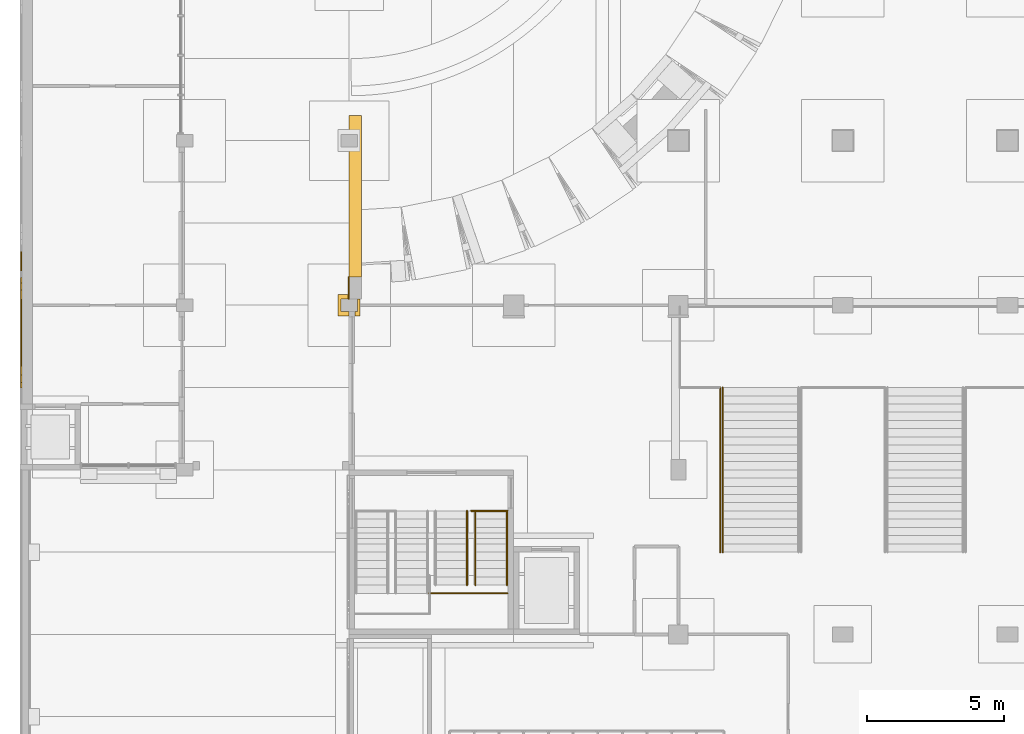
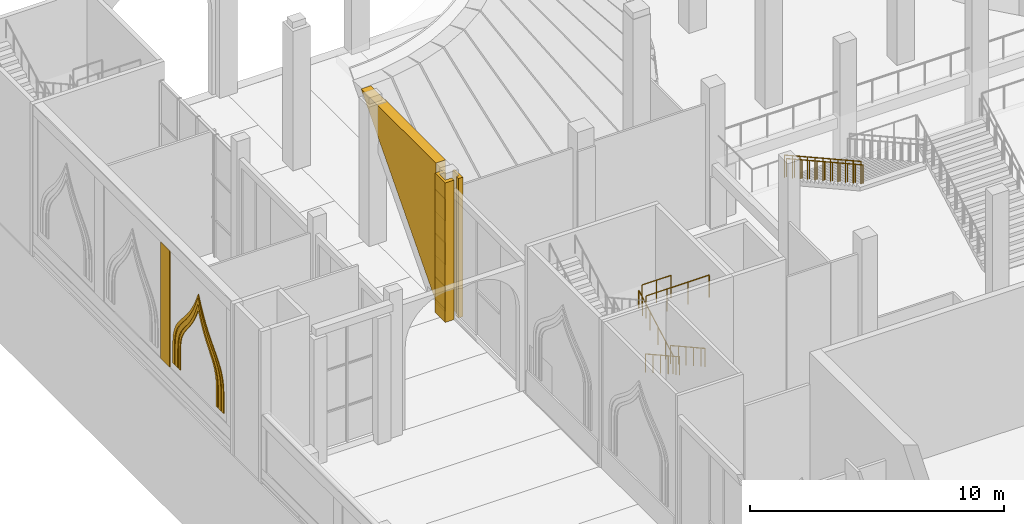
# One storey, part 83 of 95: 11 coverings, 7 railings.
"""IFC4 building model written with IfcOpenShell, lengths in metres."""

from ifc_helpers import new_model, si_unit, direction, frame, origin, origin_2d, place, context, subcontext, project, spatial, polyline, rectangle, circle, outline, extrude, material, layer, layer_set, type_object, element, save


model = new_model("IFC4")

# Units and contexts
model_context = context("Model", 3, precision=1e-05, world=origin(), true_north=direction((0.0, 1.0)))
body_context = subcontext(model_context, "Body", "Model", "MODEL_VIEW")
ifc_project = project(units=[si_unit("LENGTHUNIT", "METRE"), si_unit("AREAUNIT", "SQUARE_METRE"), si_unit("VOLUMEUNIT", "CUBIC_METRE"), si_unit("PLANEANGLEUNIT", "RADIAN"), si_unit("MASSUNIT", "GRAM", prefix="KILO")], contexts=[model_context])

# Site, building, storey
site_placement = place(None, origin())
site = spatial("IfcSite", under=ifc_project, at=site_placement, CompositionType="ELEMENT")
building_placement = place(site_placement, origin())
building = spatial("IfcBuilding", under=site, at=building_placement, Name="Saffron Lane Theatres", CompositionType="ELEMENT")
storey_placement = place(building_placement, origin())
storey = spatial("IfcBuildingStorey", under=building, at=storey_placement, Name="L00", CompositionType="ELEMENT", Elevation=0.0)

# Coverings
ifc_material_1 = material(Name="Masonry pale clay brick", Category="masonry")
ifc_layer_1 = layer(ifc_material_1, 0.449951171875)
ifc_layer_set_1 = layer_set([ifc_layer_1], Name="Masonry pale clay brick")
covering_type_1 = type_object("IfcCoveringType", Name="EX-END INFILL CLADDING BRICK 450", PredefinedType="CLADDING", material=ifc_layer_set_1)
covering_1_placement = place(storey_placement, frame((12.0, 109.03125, 0.0), z_axis=(-1.0, 0.0, 0.0), x_axis=(0.0, 0.0, 1.0)))
element("IfcCovering", 1, at=covering_1_placement, inside=storey, type_object=covering_type_1, Name="Wall end infill L00 06", PredefinedType="CLADDING", context=body_context, shape_type="SweptSolid", body=[
    extrude(outline(polyline([(0.0, 0.0), (6.64990234375, 0.0), (6.64990234375, 5.880859375), (0.0, 0.0)])), origin(), (0.0, 0.0, -1.0), 0.449951171875),
])
ifc_material_2 = material(Name="Face brick cladding, pale buff", Category="masonry")
ifc_layer_2 = layer(ifc_material_2, 0.0400390625)
ifc_layer_set_2 = layer_set([ifc_layer_2], Name="Face brick cladding, pale buff")
covering_type_2 = type_object("IfcCoveringType", Name="EX-FACE BRICK CLADDING PALE BUFF 40", PredefinedType="CLADDING", material=ifc_layer_set_2)
for number, where, z_axis, x_axis, name in (
    (2, (11.97998046875, 108.6279296875, 0.14990234375), (0.0, 0.0, 1.0), (0.0, 1.0, 0.0), "Cladding course L00"),
    (3, (11.97998046875, 108.6279296875, 2.25), (0.0, 0.0, 1.0), (0.0, 1.0, 0.0), "Cladding course L00"),
    (4, (11.97998046875, 108.6279296875, 4.35009765625), (0.0, 0.0, 1.0), (0.0, 1.0, 0.0), "Cladding course L00"),
):
    element("IfcCovering", number, at=place(storey_placement, frame(where, z_axis=z_axis, x_axis=x_axis)), inside=storey, type_object=covering_type_2, Name=name, PredefinedType="CLADDING", context=body_context, shape_type="SweptSolid", body=[
        extrude(rectangle(XDim=0.805908203125, YDim=0.0400390625, at=origin_2d()), origin(), (0.0, 0.0, 1.0), 1.050048828125),
    ])
ifc_material_3 = material(Name="Face brick cladding, pale buff", Category="masonry")
ifc_layer_3 = layer(ifc_material_3, 0.0400390625)
ifc_layer_set_3 = layer_set([ifc_layer_3], Name="Face brick cladding, pale buff")
covering_type_3 = type_object("IfcCoveringType", Name="EX-FACE BRICK SKIN PALE BUFF 40", PredefinedType="CLADDING", material=ifc_layer_set_3)
covering_2_placement = place(storey_placement, frame((0.0400390625, 109.60009765625, 0.89990234375), z_axis=(0.0, 0.0, 1.0), x_axis=(0.0, 1.0, 0.0)))
element("IfcCovering", 5, at=covering_2_placement, inside=storey, type_object=covering_type_3, Name="Face brick cladding, pale buff L00", PredefinedType="CLADDING", context=body_context, shape_type="SweptSolid", body=[
    extrude(rectangle(XDim=0.699951171875, YDim=0.0400390625, at=origin_2d()), origin(), (0.0, 0.0, 1.0), 5.60009765625),
])
ifc_material_4 = material(Name="Face brick cladding, pale buff", Category="masonry")
ifc_layer_4 = layer(ifc_material_4, 0.0400390625)
ifc_layer_set_4 = layer_set([ifc_layer_4], Name="Face brick cladding, pale buff")
covering_type_4 = type_object("IfcCoveringType", Name="EX-NICHE FRAME RING FACE BRICK PALE BUFF", PredefinedType="CLADDING", material=ifc_layer_set_4)
covering_3_placement = place(storey_placement, frame((0.06005859375, 105.469970703125, 2.39306640625), z_axis=(1.0, 0.0, 0.0), x_axis=(0.0, -0.04129538936, -0.999146981589)))
element("IfcCovering", 6, at=covering_3_placement, inside=storey, type_object=covering_type_4, Name="Court wall niche ring", PredefinedType="CLADDING", context=body_context, shape_type="SweptSolid", body=[
    extrude(outline(polyline([(0.0, 0.0), (0.24239426677237527, 0.0), (1.1425047067288998, 0.03720214519981603), (1.1375444207022576, 0.15721687052735261), (0.23938543969414836, 0.12009538038488038), (0.005081268612657799, 0.11945235302221582), (-0.19869520916377917, 0.13693114000713302), (-0.3782559895710081, 0.171537815297609), (-0.5396086448833148, 0.2208249405224773), (-0.6873576444566817, 0.2838691628148908), (-0.8265751586198585, 0.35923910080656246), (-0.9630752366894195, 0.44571705985125354), (-1.1002729318250912, 0.5431618935986122), (-1.244867285878143, 0.6481201885567607), (-1.3995213911383104, 0.7599931792847473), (-1.569490859009887, 0.8758758083208059), (-1.7584649206676555, 0.9963486445380726), (-1.9728785218299982, 1.1174804915897334), (-2.215882619523753, 1.238652420270501), (-2.4920111099297273, 1.357233551133665), (-2.6688687164181144, 1.4210294883965051), (-2.4979190928801587, 1.5001779191050806), (-2.2324773975722345, 1.6401650989069345), (-2.0003012413268815, 1.7809765340509114), (-1.796614762791261, 1.9193887271384757), (-1.6182266774098628, 2.0550448779007082), (-1.4583995829992658, 2.1845582116278646), (-1.313545067206367, 2.3097874831323284), (-1.1780647346331616, 2.425344049345101), (-1.0493761480472583, 2.533778134655549), (-0.9204778091323481, 2.6312251814989933), (-0.7879546647287045, 2.7178263362257855), (-0.6459120104624096, 2.7928478345337493), (-0.4891768571830341, 2.855281734105653), (-0.3130842442415875, 2.904587793597032), (-0.11144512548476054, 2.9388226687451184), (0.12211298631630009, 2.957516691380624), (1.0202719673244094, 2.994638181523096), (1.0153116812977672, 3.1146529068506323), (0.11520124134124274, 3.0774507616508164), (-0.12640663862203072, 3.058424036903768), (-0.33893197702418154, 3.021540085741156), (-0.5280759552814154, 2.9687624161900836), (-0.6963484702544269, 2.901697736008735), (-0.8481907139879902, 2.8213842331608463), (-0.9895377183846948, 2.7295314014228005), (-1.1233973269245074, 2.6279697171569985), (-1.2559081763498976, 2.517422862783448), (-1.391338099512263, 2.400646634727916), (-1.5353076227704658, 2.277653082069091), (-1.692237774404944, 2.148992528033606), (-1.8668540063576953, 2.0166688081772364), (-2.0653352828998615, 1.8823813343941973), (-2.2920320591367043, 1.7449729033312587), (-2.551446018406007, 1.6069452971634672), (-2.9825657423758627, 1.4080641879284934), (-2.5365046690330724, 1.2454375269695461), (-2.2665853885447436, 1.129287605106254), (-2.029322799795866, 1.0110549139267975), (-1.820437020856353, 0.8936041833642717), (-1.6354969415635985, 0.7761411578234922), (-1.4685252352898204, 0.6618450727812814), (-1.3148569413860287, 0.5501756868931746), (-1.170252505450809, 0.44497345956647427), (-1.029071237360963, 0.3457384769853879), (-0.8872872694371247, 0.2555693195693939), (-0.7388426199941678, 0.17569376384689905), (-0.5808907556668136, 0.10818425135233435), (-0.40765795466715987, 0.055234206206146316), (-0.21480384377211248, 0.01824476413011799), (0.0, 0.0)])), origin(), (0.0, 0.0, -1.0), 0.0400390625),
])
covering_4_placement = place(storey_placement, frame((0.06005859375, 105.2109375, 2.4140625), z_axis=(1.0, 0.0, 0.0), x_axis=(0.0, -0.041901657311, -0.999121739887)))
element("IfcCovering", 7, at=covering_4_placement, inside=storey, type_object=covering_type_4, Name="Court wall niche ring", PredefinedType="CLADDING", context=body_context, shape_type="SweptSolid", body=[
    extrude(outline(polyline([(0.0, 0.0), (0.2621931644232471, 0.0), (1.1635004956932669, 0.0377994686925917), (1.1551222102103893, 0.2375750314287612), (0.25796162444282966, 0.19994947098184584), (0.0097131733503435, 0.19955687027559352), (-0.20546838664234832, 0.220588174119385), (-0.3942902305423498, 0.2598298309303697), (-0.5625554378102882, 0.3158166921551046), (-0.7187195864826749, 0.3862393017572159), (-0.8655170143098301, 0.4722047619019896), (-1.0106203712261619, 0.57021467521333), (-1.158461248527375, 0.6810606083728648), (-1.3125757805422222, 0.8016619984562016), (-1.4792651290401886, 0.9307771633223154), (-1.6630820527613535, 1.0662603252837044), (-1.869056932961044, 1.2057013206532305), (-2.100248281452763, 1.3462839725061382), (-2.3631807264184146, 1.4862685163925429), (-2.662427486391686, 1.6239970270369974), (-2.7883997996284204, 1.6736938657132114), (-2.667030939953707, 1.7337638197491785), (-2.3803669530499585, 1.8960645425180187), (-2.130078660534657, 2.057572789281071), (-1.9115110046996788, 2.217995075665567), (-1.7178938398398125, 2.3732169371767404), (-1.5460663551735103, 2.523615288679076), (-1.390773111715746, 2.666233917327117), (-1.247297672377569, 2.7993157815119316), (-1.1092570362150573, 2.9221511537263294), (-0.9728695513761514, 3.0319663679500515), (-0.8337854657395819, 3.129921267149688), (-0.6840661520540241, 3.2131721673446303), (-0.5210795715372027, 3.283051228429863), (-0.33620646780373453, 3.3379650871453266), (-0.12354146242494729, 3.376939629984194), (0.12386813712957068, 3.397334179584666), (1.0210287228971304, 3.4349597400315814), (1.0126504374142529, 3.634735302767751), (0.11134310614423296, 3.5969358340751594), (-0.14992936756661002, 3.5749824755327233), (-0.38227055645915387, 3.533227901404475), (-0.5888515012117506, 3.471539123031958), (-0.7727629946455967, 3.3936962009499494), (-0.9401134218081735, 3.299687313944365), (-1.093698499830628, 3.192083121416653), (-1.2388145872852052, 3.0748155410363798), (-1.3815700692193866, 2.9478727515894594), (-1.5261730705164585, 2.8125444020663783), (-1.6793528172944152, 2.6719692521377945), (-1.8465166056730702, 2.526897948898117), (-2.0332235889070236, 2.3758755736907067), (-2.24306264212633, 2.222905653462762), (-2.4837984843366385, 2.066685126692431), (-2.7604835479041667, 1.9111561409460829), (-3.284057850275425, 1.6529067154064871), (-2.7407398470715005, 1.44037856331384), (-2.451963045481065, 1.3075867735361923), (-2.1989922466925855, 1.172071557898149), (-1.9770819152439807, 1.0372085550141523), (-1.7784264125423825, 0.9033251215819457), (-1.5996619211874359, 0.771784107186927), (-1.4352497477181487, 0.6445282828977893), (-1.279823515601926, 0.5217827064442314), (-1.1269813554185173, 0.4082142567484616), (-0.9725151422846359, 0.302533284819994), (-0.8104597097080632, 0.20816657875729266), (-0.6358255960206893, 0.1285000070716038), (-0.4460421418210658, 0.06632928689407458), (-0.23502142185532032, 0.02215409185084432), (0.0, 0.0)])), origin(), (0.0, 0.0, -1.0), 0.0400390625),
])
covering_5_placement = place(storey_placement, frame((0.06005859375, 105.011962890625, 2.429931640625), z_axis=(1.0, 0.0, 0.0), x_axis=(0.0, -0.04301813733, -0.999074291462)))
element("IfcCovering", 8, at=covering_5_placement, inside=storey, type_object=covering_type_4, Name="Court wall niche ring", PredefinedType="CLADDING", context=body_context, shape_type="SweptSolid", body=[
    extrude(outline(polyline([(0.0, 0.0), (0.2780894610383621, 0.0), (1.1793539891029958, 0.038806644881517624), (1.1733360709657539, 0.17856972325256912), (0.2762180914740831, 0.13994162044493128), (0.0068990543505912, 0.14056362416449805), (-0.22627968050730682, 0.16449040542662047), (-0.4325133514087546, 0.20961546783022952), (-0.6173699847586127, 0.27472159596408474), (-0.7871073409278228, 0.3575844085043873), (-0.9484605070562699, 0.45571460455553114), (-1.1055760317169172, 0.5689336420436366), (-1.265252016899255, 0.6962157078047317), (-1.4312125544804268, 0.8332462136669077), (-1.6107750831186036, 0.9797100853821413), (-1.8065281413807073, 1.1332965641287063), (-2.0263633746667136, 1.290000348904692), (-2.273451673061829, 1.4496849075359555), (-2.553701857565716, 1.6076972149542414), (-2.872734466957905, 1.764039628858005), (-3.0959159173596507, 1.856575220812618), (-2.881514536002817, 1.9679522527990152), (-2.5771013717189017, 2.151138992634351), (-2.3114706323232888, 2.3326558389551635), (-2.0790227839863156, 2.512988263306877), (-1.873470916610692, 2.6880083643679424), (-1.6916441401112114, 2.8578526743125017), (-1.5253357348398748, 3.019209055484296), (-1.3717681176809469, 3.169997803510149), (-1.2236238499762564, 3.3105339926380846), (-1.0768217557009, 3.436839113894085), (-0.9245007180157832, 3.548475492710488), (-0.7625141883479425, 3.6456216711611726), (-0.5839380350086791, 3.7263764869468448), (-0.38234645802810574, 3.789061687440277), (-0.15208741120188887, 3.8329431710771984), (0.11618137842819254, 3.8567126295515326), (1.0132993579198633, 3.8953407323591707), (1.007281439782621, 4.035103810730222), (0.1060169117179873, 3.9962971658487043), (-0.1710433067768325, 3.9723935328986815), (-0.41628852798912447, 3.924690005730638), (-0.6335665157967877, 3.8574195104154647), (-0.827002813822917, 3.7699156756354038), (-1.0025984076431262, 3.665341246699182), (-1.163639714566897, 3.5462427522739866), (-1.3172947809048687, 3.414510852184178), (-1.4692156528613738, 3.2708796479940285), (-1.6237169186083218, 3.119073231580683), (-1.7881160168038823, 2.9587765286961174), (-1.9669399428171017, 2.7929713848767257), (-2.166774391440332, 2.6213742332992864), (-2.393588840824386, 2.4464160754067104), (-2.65304583964853, 2.2690749273852084), (-2.9498217756293426, 2.0901269006987886), (-3.4254445715992503, 1.8423863771766422), (-2.9302871722519073, 1.6364457038922338), (-2.619227870360712, 1.4836698447416032), (-2.3454875056261852, 1.3292871069260546), (-2.104473710131222, 1.174472695957092), (-1.8906289599458954, 1.0206877418678946), (-1.6982148313679444, 0.8708673648982103), (-1.5206456296050161, 0.7252951318712599), (-1.3536674236363517, 0.5873309774210644), (-1.1900047847035171, 0.458265634283403), (-1.025553174133286, 0.3392533030199113), (-0.8548705952200065, 0.23443817450509802), (-0.6709360363021181, 0.14534439362174723), (-0.4706941345186888, 0.07479155338533136), (-0.2484379735922599, 0.02644651790141503), (0.0, 0.0)])), origin(), (0.0, 0.0, -1.0), 0.0400390625),
])
ifc_material_5 = material(Name="Face brick cladding, pale buff", Category="masonry")
ifc_layer_5 = layer(ifc_material_5, 0.10009765625)
ifc_layer_set_5 = layer_set([ifc_layer_5], Name="Face brick cladding, pale buff")
covering_type_5 = type_object("IfcCoveringType", Name="EX-PIER CASING FACE BRICK PALE BUFF 800", PredefinedType="CLADDING", material=ifc_layer_set_5)
covering_6_placement = place(storey_placement, origin())
element("IfcCovering", 9, at=covering_6_placement, inside=storey, type_object=covering_type_5, Name="Pier casing L00 1", PredefinedType="CLADDING", context=body_context, shape_type="SweptSolid", body=[
    extrude(outline(polyline([(11.99609375, 108.39990234375), (11.60009765625, 108.39990234375), (11.60009765625, 107.60009765625), (11.99609375, 107.60009765625), (11.99609375, 107.77490234375), (11.99609375, 107.77490234375), (11.699951171875, 107.77490234375), (11.699951171875, 108.22509765625), (11.99609375, 108.22509765625), (11.99609375, 108.22509765625), (11.99609375, 108.39990234375)])), origin(), (0.0, 0.0, 1.0), 6.699951171875),
])
covering_7_placement = place(storey_placement, origin())
element("IfcCovering", 10, at=covering_7_placement, inside=storey, type_object=covering_type_5, Name="Pier casing L00 2", PredefinedType="CLADDING", context=body_context, shape_type="SweptSolid", body=[
    extrude(outline(polyline([(12.39990234375, 107.60009765625), (12.39990234375, 108.22119140625), (12.300048828125, 108.22119140625), (12.300048828125, 107.77490234375), (12.2041015625, 107.77490234375), (12.2041015625, 107.77490234375), (12.2041015625, 107.60009765625), (12.39990234375, 107.60009765625)])), origin(), (0.0, 0.0, 1.0), 6.699951171875),
])
ifc_material_6 = material(Name="Masonry bluestone", Category="masonry")
ifc_layer_6 = layer(ifc_material_6, 0.0400390625)
ifc_layer_set_6 = layer_set([ifc_layer_6], Name="Masonry bluestone")
covering_type_6 = type_object("IfcCoveringType", Name="EX-PLINTH BLUESTONE 600", PredefinedType="CLADDING", material=ifc_layer_set_6)
covering_8_placement = place(storey_placement, frame((11.97998046875, 108.628173828125, 0.0), z_axis=(0.0, 0.0, 1.0), x_axis=(0.0, 1.0, 0.0)))
element("IfcCovering", 11, at=covering_8_placement, inside=storey, type_object=covering_type_6, Name="Facade plinth L00", PredefinedType="CLADDING", context=body_context, shape_type="SweptSolid", body=[
    extrude(rectangle(XDim=0.80615234375, YDim=0.0400390625, at=origin_2d()), origin(), (0.0, 0.0, 1.0), 0.60009765625),
])

# Railings
ifc_material_7 = material(Name="Steel Grade 350", Category="steel")
railing_type_1 = type_object("IfcRailingType", Name="VC-GUARD 1100", PredefinedType="GUARDRAIL", material=ifc_material_7)
railing_1_placement = place(storey_placement, frame((17.77001953125, 97.5, 5.166748046875)))
element("IfcRailing", 12, at=railing_1_placement, inside=storey, type_object=railing_type_1, Name="Brick Block West Stair landing guard 1N2s", PredefinedType="GUARDRAIL", context=body_context, shape_type="SweptSolid", body=[
    extrude(circle(Radius=0.02392578125, at=origin_2d()), frame((0.0, 0.0, 1.076171875), z_axis=(-1.0, 0.0, 0.0), x_axis=(0.0, -1.0, 0.0)), (0.0, 0.0, 1.0), 2.8701171875),
    extrude(circle(Radius=0.02099609375, at=origin_2d()), origin(), (0.0, 0.0, 1.0), 1.052001953125),
    extrude(circle(Radius=0.02099609375, at=origin_2d()), frame((-0.956787109375, 0.0, 0.0)), (0.0, 0.0, 1.0), 1.052001953125),
    extrude(circle(Radius=0.02099609375, at=origin_2d()), frame((-1.913330078125, 0.0, 0.0)), (0.0, 0.0, 1.0), 1.052001953125),
    extrude(circle(Radius=0.02099609375, at=origin_2d()), frame((-2.8701171875, 0.0, 0.0)), (0.0, 0.0, 1.0), 1.052001953125),
])
railing_2_placement = place(storey_placement, frame((17.77001953125, 100.5, 3.333251953125)))
element("IfcRailing", 13, at=railing_2_placement, inside=storey, type_object=railing_type_1, Name="Brick Block West Stair landing guard 1S2w", PredefinedType="GUARDRAIL", context=body_context, shape_type="SweptSolid", body=[
    extrude(circle(Radius=0.02392578125, at=origin_2d()), frame((0.0, 0.0, 1.076171875), z_axis=(-1.0, 0.0, 0.0), x_axis=(0.0, -1.0, 0.0)), (0.0, 0.0, 1.0), 1.320068359375),
    extrude(circle(Radius=0.02099609375, at=origin_2d()), origin(), (0.0, 0.0, 1.0), 1.052001953125),
    extrude(circle(Radius=0.02099609375, at=origin_2d()), frame((-0.66015625, 0.0, 0.0)), (0.0, 0.0, 1.0), 1.052001953125),
    extrude(circle(Radius=0.02099609375, at=origin_2d()), frame((-1.320068359375, 0.0, 0.0)), (0.0, 0.0, 1.0), 1.052001953125),
])
railing_3_placement = place(storey_placement, frame((25.530029296875, 105.0, 3.666748046875)))
element("IfcRailing", 14, at=railing_3_placement, inside=storey, type_object=railing_type_1, Name="Grand Stair flight guard 1.2a", PredefinedType="GUARDRAIL", context=body_context, shape_type="SweptSolid", body=[
    extrude(circle(Radius=0.02392578125, at=origin_2d()), frame((0.0, 0.0, 1.076171875), z_axis=(0.0, -0.874241147926, 0.485491931212), x_axis=(1.0, 0.0, 0.0)), (0.0, 0.0, 1.0), 0.6865234375),
    extrude(circle(Radius=0.02392578125, at=origin_2d()), frame((0.0, -0.60009765625, 1.4091796875), z_axis=(0.0, -0.874157276122, 0.485642931179), x_axis=(1.0, 0.0, 0.0)), (0.0, 0.0, 1.0), 0.686279296875),
    extrude(circle(Radius=0.02392578125, at=origin_2d()), frame((0.0, -1.199951171875, 1.74267578125), z_axis=(0.0, -0.874090171491, 0.485763699861), x_axis=(1.0, 0.0, 0.0)), (0.0, 0.0, 1.0), 0.6865234375),
    extrude(circle(Radius=0.02392578125, at=origin_2d()), frame((0.0, -1.800048828125, 2.076171875), z_axis=(0.0, -0.874157276122, 0.485642931179), x_axis=(1.0, 0.0, 0.0)), (0.0, 0.0, 1.0), 0.686279296875),
    extrude(circle(Radius=0.02392578125, at=origin_2d()), frame((0.0, -2.39990234375, 2.4091796875), z_axis=(0.0, -0.874241147926, 0.485491931212), x_axis=(1.0, 0.0, 0.0)), (0.0, 0.0, 1.0), 0.6865234375),
    extrude(circle(Radius=0.02392578125, at=origin_2d()), frame((0.0, -3.0, 2.74267578125), z_axis=(0.0, -0.874090171491, 0.485763699861), x_axis=(1.0, 0.0, 0.0)), (0.0, 0.0, 1.0), 0.6865234375),
    extrude(circle(Radius=0.02392578125, at=origin_2d()), frame((0.0, -3.60009765625, 3.076171875), z_axis=(0.0, -0.874157276122, 0.485642931179), x_axis=(1.0, 0.0, 0.0)), (0.0, 0.0, 1.0), 0.686279296875),
    extrude(circle(Radius=0.02392578125, at=origin_2d()), frame((0.0, -4.199951171875, 3.4091796875), z_axis=(0.0, -0.874241147926, 0.485491931212), x_axis=(1.0, 0.0, 0.0)), (0.0, 0.0, 1.0), 0.6865234375),
    extrude(circle(Radius=0.02392578125, at=origin_2d()), frame((0.0, -4.800048828125, 3.74267578125), z_axis=(0.0, -0.874006220275, 0.485914732151), x_axis=(1.0, 0.0, 0.0)), (0.0, 0.0, 1.0), 0.686279296875),
    extrude(circle(Radius=0.02392578125, at=origin_2d()), frame((0.0, -5.39990234375, 4.076171875), z_axis=(0.0, -0.874241147926, 0.485491931212), x_axis=(1.0, 0.0, 0.0)), (0.0, 0.0, 1.0), 0.6865234375),
    extrude(circle(Radius=0.02099609375, at=origin_2d()), origin(), (0.0, 0.0, 1.0), 1.052001953125),
    extrude(circle(Radius=0.02099609375, at=origin_2d()), frame((0.0, -0.60009765625, 0.333251953125)), (0.0, 0.0, 1.0), 1.052001953125),
    extrude(circle(Radius=0.02099609375, at=origin_2d()), frame((0.0, -1.199951171875, 0.66650390625)), (0.0, 0.0, 1.0), 1.052001953125),
    extrude(circle(Radius=0.02099609375, at=origin_2d()), frame((0.0, -1.800048828125, 1.0)), (0.0, 0.0, 1.0), 1.052001953125),
    extrude(circle(Radius=0.02099609375, at=origin_2d()), frame((0.0, -2.39990234375, 1.333251953125)), (0.0, 0.0, 1.0), 1.052001953125),
    extrude(circle(Radius=0.02099609375, at=origin_2d()), frame((0.0, -3.0, 1.66650390625)), (0.0, 0.0, 1.0), 1.052001953125),
    extrude(circle(Radius=0.02099609375, at=origin_2d()), frame((0.0, -3.60009765625, 2.0)), (0.0, 0.0, 1.0), 1.052001953125),
    extrude(circle(Radius=0.02099609375, at=origin_2d()), frame((0.0, -4.199951171875, 2.333251953125)), (0.0, 0.0, 1.0), 1.052001953125),
    extrude(circle(Radius=0.02099609375, at=origin_2d()), frame((0.0, -4.800048828125, 2.66650390625)), (0.0, 0.0, 1.0), 1.052001953125),
    extrude(circle(Radius=0.02099609375, at=origin_2d()), frame((0.0, -5.39990234375, 3.0)), (0.0, 0.0, 1.0), 1.052001953125),
    extrude(circle(Radius=0.02099609375, at=origin_2d()), frame((0.0, -6.0, 3.333251953125)), (0.0, 0.0, 1.0), 1.052001953125),
])
ifc_material_8 = material(Name="Steel Grade 350", Category="steel")
railing_type_2 = type_object("IfcRailingType", Name="VC-HANDRAIL 900", PredefinedType="HANDRAIL", material=ifc_material_8)
railing_4_placement = place(storey_placement, frame((17.75, 100.5, 0.166748046875)))
element("IfcRailing", 15, at=railing_4_placement, inside=storey, type_object=railing_type_2, Name="Brick Block West Stair handrail 1.1a", PredefinedType="HANDRAIL", context=body_context, shape_type="SweptSolid", body=[
    extrude(circle(Radius=0.02392578125, at=origin_2d()), frame((0.0, 0.0, 0.8759765625), z_axis=(0.0, -0.874241147926, 0.485491931212), x_axis=(1.0, 0.0, 0.0)), (0.0, 0.0, 1.0), 0.6865234375),
    extrude(circle(Radius=0.02392578125, at=origin_2d()), frame((0.0, -0.60009765625, 1.208984375), z_axis=(0.0, -0.874157276122, 0.485642931179), x_axis=(1.0, 0.0, 0.0)), (0.0, 0.0, 1.0), 0.686279296875),
    extrude(circle(Radius=0.02392578125, at=origin_2d()), frame((0.0, -1.199951171875, 1.54248046875), z_axis=(0.0, -0.874090171491, 0.485763699861), x_axis=(1.0, 0.0, 0.0)), (0.0, 0.0, 1.0), 0.6865234375),
    extrude(circle(Radius=0.02392578125, at=origin_2d()), frame((0.0, -1.800048828125, 1.8759765625), z_axis=(0.0, -0.874157276122, 0.485642931179), x_axis=(1.0, 0.0, 0.0)), (0.0, 0.0, 1.0), 0.686279296875),
    extrude(circle(Radius=0.02392578125, at=origin_2d()), frame((0.0, -2.39990234375, 2.208984375), z_axis=(0.0, -0.874090171491, 0.485763699861), x_axis=(1.0, 0.0, 0.0)), (0.0, 0.0, 1.0), 0.34326171875),
    extrude(circle(Radius=0.02099609375, at=origin_2d()), origin(), (0.0, 0.0, 1.0), 0.851806640625),
    extrude(circle(Radius=0.02099609375, at=origin_2d()), frame((0.0, -0.60009765625, 0.333251953125)), (0.0, 0.0, 1.0), 0.851806640625),
    extrude(circle(Radius=0.02099609375, at=origin_2d()), frame((0.0, -1.199951171875, 0.66650390625)), (0.0, 0.0, 1.0), 0.851806640625),
    extrude(circle(Radius=0.02099609375, at=origin_2d()), frame((0.0, -1.800048828125, 1.0)), (0.0, 0.0, 1.0), 0.851806640625),
    extrude(circle(Radius=0.02099609375, at=origin_2d()), frame((0.0, -2.39990234375, 1.333251953125)), (0.0, 0.0, 1.0), 0.851806640625),
    extrude(circle(Radius=0.02099609375, at=origin_2d()), frame((0.0, -2.699951171875, 1.5)), (0.0, 0.0, 1.0), 0.851806640625),
])
railing_5_placement = place(storey_placement, frame((16.60009765625, 100.5, 0.166748046875)))
element("IfcRailing", 16, at=railing_5_placement, inside=storey, type_object=railing_type_2, Name="Brick Block West Stair handrail 1.1b", PredefinedType="HANDRAIL", context=body_context, shape_type="SweptSolid", body=[
    extrude(circle(Radius=0.02392578125, at=origin_2d()), frame((0.0, 0.0, 0.8759765625), z_axis=(0.0, -0.874241147926, 0.485491931212), x_axis=(1.0, 0.0, 0.0)), (0.0, 0.0, 1.0), 0.6865234375),
    extrude(circle(Radius=0.02392578125, at=origin_2d()), frame((0.0, -0.60009765625, 1.208984375), z_axis=(0.0, -0.874157276122, 0.485642931179), x_axis=(1.0, 0.0, 0.0)), (0.0, 0.0, 1.0), 0.686279296875),
    extrude(circle(Radius=0.02392578125, at=origin_2d()), frame((0.0, -1.199951171875, 1.54248046875), z_axis=(0.0, -0.874090171491, 0.485763699861), x_axis=(1.0, 0.0, 0.0)), (0.0, 0.0, 1.0), 0.6865234375),
    extrude(circle(Radius=0.02392578125, at=origin_2d()), frame((0.0, -1.800048828125, 1.8759765625), z_axis=(0.0, -0.874157276122, 0.485642931179), x_axis=(1.0, 0.0, 0.0)), (0.0, 0.0, 1.0), 0.686279296875),
    extrude(circle(Radius=0.02392578125, at=origin_2d()), frame((0.0, -2.39990234375, 2.208984375), z_axis=(0.0, -0.874090171491, 0.485763699861), x_axis=(1.0, 0.0, 0.0)), (0.0, 0.0, 1.0), 0.34326171875),
    extrude(circle(Radius=0.02099609375, at=origin_2d()), origin(), (0.0, 0.0, 1.0), 0.851806640625),
    extrude(circle(Radius=0.02099609375, at=origin_2d()), frame((0.0, -0.60009765625, 0.333251953125)), (0.0, 0.0, 1.0), 0.851806640625),
    extrude(circle(Radius=0.02099609375, at=origin_2d()), frame((0.0, -1.199951171875, 0.66650390625)), (0.0, 0.0, 1.0), 0.851806640625),
    extrude(circle(Radius=0.02099609375, at=origin_2d()), frame((0.0, -1.800048828125, 1.0)), (0.0, 0.0, 1.0), 0.851806640625),
    extrude(circle(Radius=0.02099609375, at=origin_2d()), frame((0.0, -2.39990234375, 1.333251953125)), (0.0, 0.0, 1.0), 0.851806640625),
    extrude(circle(Radius=0.02099609375, at=origin_2d()), frame((0.0, -2.699951171875, 1.5)), (0.0, 0.0, 1.0), 0.851806640625),
])
railing_6_placement = place(storey_placement, frame((16.300048828125, 97.800048828125, 1.833251953125)))
element("IfcRailing", 17, at=railing_6_placement, inside=storey, type_object=railing_type_2, Name="Brick Block West Stair handrail 1.2a", PredefinedType="HANDRAIL", context=body_context, shape_type="SweptSolid", body=[
    extrude(circle(Radius=0.02392578125, at=origin_2d()), frame((0.0, 0.0, 0.8759765625), z_axis=(0.0, 0.874006220275, 0.485914732151), x_axis=(-1.0, 0.0, 0.0)), (0.0, 0.0, 1.0), 0.686279296875),
    extrude(circle(Radius=0.02392578125, at=origin_2d()), frame((0.0, 0.599853515625, 1.20947265625), z_axis=(0.0, 0.874241147926, 0.485491931212), x_axis=(-1.0, 0.0, 0.0)), (0.0, 0.0, 1.0), 0.6865234375),
    extrude(circle(Radius=0.02392578125, at=origin_2d()), frame((0.0, 1.199951171875, 1.54248046875), z_axis=(0.0, 0.874241147926, 0.485491931212), x_axis=(-1.0, 0.0, 0.0)), (0.0, 0.0, 1.0), 0.6865234375),
    extrude(circle(Radius=0.02392578125, at=origin_2d()), frame((0.0, 1.800048828125, 1.8759765625), z_axis=(0.0, 0.874006220275, 0.485914732151), x_axis=(-1.0, 0.0, 0.0)), (0.0, 0.0, 1.0), 0.686279296875),
    extrude(circle(Radius=0.02392578125, at=origin_2d()), frame((0.0, 2.39990234375, 2.20947265625), z_axis=(0.0, 0.87439209197, 0.485220021744), x_axis=(-1.0, 0.0, 0.0)), (0.0, 0.0, 1.0), 0.34326171875),
    extrude(circle(Radius=0.02099609375, at=origin_2d()), origin(), (0.0, 0.0, 1.0), 0.851806640625),
    extrude(circle(Radius=0.02099609375, at=origin_2d()), frame((0.0, 0.599853515625, 0.33349609375)), (0.0, 0.0, 1.0), 0.851806640625),
    extrude(circle(Radius=0.02099609375, at=origin_2d()), frame((0.0, 1.199951171875, 0.666748046875)), (0.0, 0.0, 1.0), 0.851806640625),
    extrude(circle(Radius=0.02099609375, at=origin_2d()), frame((0.0, 1.800048828125, 1.0)), (0.0, 0.0, 1.0), 0.851806640625),
    extrude(circle(Radius=0.02099609375, at=origin_2d()), frame((0.0, 2.39990234375, 1.33349609375)), (0.0, 0.0, 1.0), 0.851806640625),
    extrude(circle(Radius=0.02099609375, at=origin_2d()), frame((0.0, 2.699951171875, 1.5)), (0.0, 0.0, 1.0), 0.851806640625),
])
railing_7_placement = place(storey_placement, frame((25.6201171875, 105.0, 3.666748046875)))
element("IfcRailing", 18, at=railing_7_placement, inside=storey, type_object=railing_type_2, Name="Grand Stair handrail 1.2a", PredefinedType="HANDRAIL", context=body_context, shape_type="SweptSolid", body=[
    extrude(circle(Radius=0.02392578125, at=origin_2d()), frame((0.0, 0.0, 0.8759765625), z_axis=(0.0, -0.874241147926, 0.485491931212), x_axis=(1.0, 0.0, 0.0)), (0.0, 0.0, 1.0), 0.6865234375),
    extrude(circle(Radius=0.02392578125, at=origin_2d()), frame((0.0, -0.60009765625, 1.208984375), z_axis=(0.0, -0.874157276122, 0.485642931179), x_axis=(1.0, 0.0, 0.0)), (0.0, 0.0, 1.0), 0.686279296875),
    extrude(circle(Radius=0.02392578125, at=origin_2d()), frame((0.0, -1.199951171875, 1.54248046875), z_axis=(0.0, -0.874090171491, 0.485763699861), x_axis=(1.0, 0.0, 0.0)), (0.0, 0.0, 1.0), 0.6865234375),
    extrude(circle(Radius=0.02392578125, at=origin_2d()), frame((0.0, -1.800048828125, 1.8759765625), z_axis=(0.0, -0.874157276122, 0.485642931179), x_axis=(1.0, 0.0, 0.0)), (0.0, 0.0, 1.0), 0.686279296875),
    extrude(circle(Radius=0.02392578125, at=origin_2d()), frame((0.0, -2.39990234375, 2.208984375), z_axis=(0.0, -0.874241147926, 0.485491931212), x_axis=(1.0, 0.0, 0.0)), (0.0, 0.0, 1.0), 0.6865234375),
    extrude(circle(Radius=0.02392578125, at=origin_2d()), frame((0.0, -3.0, 2.54248046875), z_axis=(0.0, -0.874090171491, 0.485763699861), x_axis=(1.0, 0.0, 0.0)), (0.0, 0.0, 1.0), 0.6865234375),
    extrude(circle(Radius=0.02392578125, at=origin_2d()), frame((0.0, -3.60009765625, 2.8759765625), z_axis=(0.0, -0.874157276122, 0.485642931179), x_axis=(1.0, 0.0, 0.0)), (0.0, 0.0, 1.0), 0.686279296875),
    extrude(circle(Radius=0.02392578125, at=origin_2d()), frame((0.0, -4.199951171875, 3.208984375), z_axis=(0.0, -0.874241147926, 0.485491931212), x_axis=(1.0, 0.0, 0.0)), (0.0, 0.0, 1.0), 0.6865234375),
    extrude(circle(Radius=0.02392578125, at=origin_2d()), frame((0.0, -4.800048828125, 3.54248046875), z_axis=(0.0, -0.874006220275, 0.485914732151), x_axis=(1.0, 0.0, 0.0)), (0.0, 0.0, 1.0), 0.686279296875),
    extrude(circle(Radius=0.02392578125, at=origin_2d()), frame((0.0, -5.39990234375, 3.8759765625), z_axis=(0.0, -0.874241147926, 0.485491931212), x_axis=(1.0, 0.0, 0.0)), (0.0, 0.0, 1.0), 0.6865234375),
    extrude(circle(Radius=0.02099609375, at=origin_2d()), origin(), (0.0, 0.0, 1.0), 0.851806640625),
    extrude(circle(Radius=0.02099609375, at=origin_2d()), frame((0.0, -0.60009765625, 0.333251953125)), (0.0, 0.0, 1.0), 0.851806640625),
    extrude(circle(Radius=0.02099609375, at=origin_2d()), frame((0.0, -1.199951171875, 0.66650390625)), (0.0, 0.0, 1.0), 0.851806640625),
    extrude(circle(Radius=0.02099609375, at=origin_2d()), frame((0.0, -1.800048828125, 1.0)), (0.0, 0.0, 1.0), 0.851806640625),
    extrude(circle(Radius=0.02099609375, at=origin_2d()), frame((0.0, -2.39990234375, 1.333251953125)), (0.0, 0.0, 1.0), 0.851806640625),
    extrude(circle(Radius=0.02099609375, at=origin_2d()), frame((0.0, -3.0, 1.66650390625)), (0.0, 0.0, 1.0), 0.851806640625),
    extrude(circle(Radius=0.02099609375, at=origin_2d()), frame((0.0, -3.60009765625, 2.0)), (0.0, 0.0, 1.0), 0.851806640625),
    extrude(circle(Radius=0.02099609375, at=origin_2d()), frame((0.0, -4.199951171875, 2.333251953125)), (0.0, 0.0, 1.0), 0.851806640625),
    extrude(circle(Radius=0.02099609375, at=origin_2d()), frame((0.0, -4.800048828125, 2.66650390625)), (0.0, 0.0, 1.0), 0.851806640625),
    extrude(circle(Radius=0.02099609375, at=origin_2d()), frame((0.0, -5.39990234375, 3.0)), (0.0, 0.0, 1.0), 0.851806640625),
    extrude(circle(Radius=0.02099609375, at=origin_2d()), frame((0.0, -6.0, 3.333251953125)), (0.0, 0.0, 1.0), 0.851806640625),
])

save(model, "model.ifc")
